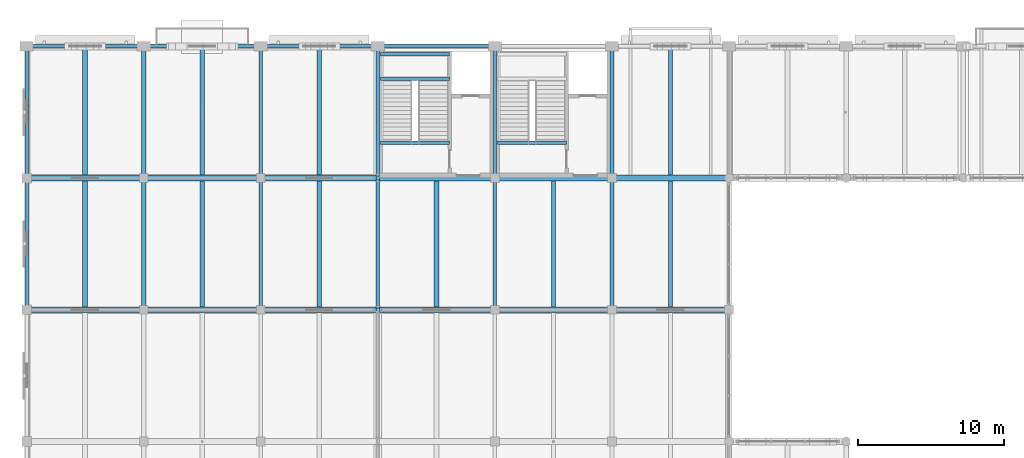
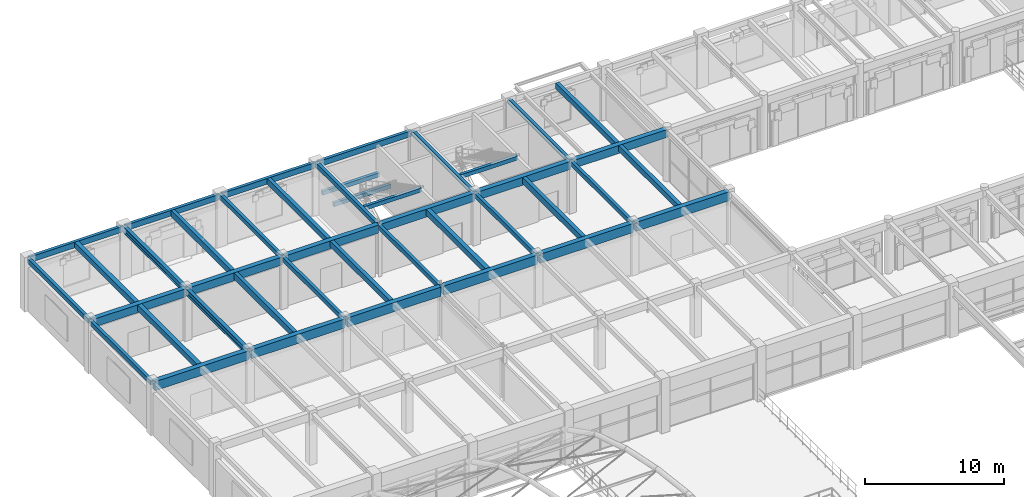
# One storey, part 48 of 144: 42 beams.
"""IFC4 building model written with IfcOpenShell, lengths in metres."""

from ifc_helpers import new_model, si_unit, direction, frame, origin, origin_2d, place, context, subcontext, project, spatial, rectangle, i_section, extrude, material, material_profile, profile_set, type_object, element, save


model = new_model("IFC4")

# Units and contexts
model_context = context("Model", 3, precision=1e-05, world=origin(), true_north=direction((0.0, 1.0)))
body_context = subcontext(model_context, "Body", "Model", "MODEL_VIEW")
ifc_project = project(units=[si_unit("LENGTHUNIT", "METRE"), si_unit("AREAUNIT", "SQUARE_METRE"), si_unit("VOLUMEUNIT", "CUBIC_METRE"), si_unit("PLANEANGLEUNIT", "RADIAN"), si_unit("MASSUNIT", "GRAM", prefix="KILO")], contexts=[model_context])

# Site, building, storey
site_placement = place(None, origin())
site = spatial("IfcSite", under=ifc_project, at=site_placement, CompositionType="ELEMENT")
building_placement = place(site_placement, origin())
building = spatial("IfcBuilding", under=site, at=building_placement, Name="Varnabhumi Central Station", CompositionType="ELEMENT")
storey_placement = place(building_placement, frame((0.0, 0.0, 4.800048828125)))
storey = spatial("IfcBuildingStorey", under=building, at=storey_placement, Name="L01", CompositionType="ELEMENT", Elevation=4.800048828125)

# Beams
ifc_material_1 = material(Name="Concrete M35", Category="concrete")
ifc_material_profile_1 = material_profile(ifc_material_1, rectangle(XDim=0.25, YDim=0.35009765625, at=origin_2d()), Name="Concrete M35", Category="concrete")
ifc_profile_set_1 = profile_set([ifc_material_profile_1], Name="Concrete M35")
beam_type_1 = type_object("IfcBeamType", Name="BM-RC-250x350", PredefinedType="LINTEL", material=ifc_profile_set_1)
for number, where, z_axis, x_axis, name in (
    (1, (24.179931640625, 113.794921875, 2.044921875), (1.0, 0.0, 0.0), (0.0, 1.0, 0.0), "ST-N1 L01 Half Landing Support Beam 1"),
    (2, (24.179931640625, 115.4599609375, 2.044921875), (1.0, 0.0, 0.0), (0.0, 1.0, 0.0), "ST-N1 L01 Half Landing Support Beam 2"),
    (3, (24.179931640625, 109.419921875, 4.375), (1.0, 0.0, 0.0), (0.0, 1.0, 0.0), "ST-N1 L01 Floor Opening Trimmer Beam"),
    (4, (32.179931640625, 109.419921875, 4.375), (1.0, 0.0, 0.0), (0.0, 1.0, 0.0), "ST-N4 L01 Floor Opening Trimmer Beam"),
):
    element("IfcBeam", number, at=place(storey_placement, frame(where, z_axis=z_axis, x_axis=x_axis)), inside=storey, type_object=beam_type_1, Name=name, PredefinedType="LINTEL", context=body_context, shape_type="SweptSolid", body=[
        extrude(rectangle(XDim=0.25, YDim=0.35009765625, at=origin_2d()), origin(), (0.0, 0.0, 1.0), 4.719970703125),
    ])
ifc_material_profile_2 = material_profile(ifc_material_1, rectangle(XDim=0.25, YDim=0.39990234375, at=origin_2d()), Name="Concrete M35", Category="concrete")
ifc_profile_set_2 = profile_set([ifc_material_profile_2], Name="Concrete M35")
beam_type_2 = type_object("IfcBeamType", Name="BM-RC-250x400", PredefinedType="LINTEL", material=ifc_profile_set_2)
for number, where, z_axis, x_axis, name in (
    (5, (0.0, 98.10009765625, 4.349853515625), (0.0, 1.0, 0.0), (-1.0, 0.0, 0.0), "Beam L01-1:M-N"),
    (6, (16.0, 98.10009765625, 4.349853515625), (0.0, 1.0, 0.0), (-1.0, 0.0, 0.0), "Beam L01-3:M-N"),
    (7, (24.0, 98.10009765625, 4.349853515625), (0.0, 1.0, 0.0), (-1.0, 0.0, 0.0), "Beam L01-4:M-N"),
    (8, (32.0, 98.10009765625, 4.349853515625), (0.0, 1.0, 0.0), (-1.0, 0.0, 0.0), "Beam L01-5:M-N"),
    (9, (40.0, 98.10009765625, 4.349853515625), (0.0, 1.0, 0.0), (-1.0, 0.0, 0.0), "Beam L01-6:M-N"),
    (10, (0.0, 107.10009765625, 4.349853515625), (0.0, 1.0, 0.0), (-1.0, 0.0, 0.0), "Beam L01-1:N-P"),
    (11, (16.0, 107.10009765625, 4.349853515625), (0.0, 1.0, 0.0), (-1.0, 0.0, 0.0), "Beam L01-3:N-P"),
    (12, (24.0, 107.10009765625, 4.349853515625), (0.0, 1.0, 0.0), (-1.0, 0.0, 0.0), "Beam L01-4:N-P"),
    (13, (32.0, 107.10009765625, 4.349853515625), (0.0, 1.0, 0.0), (-1.0, 0.0, 0.0), "Beam L01-5:N-P"),
    (14, (40.0, 107.10009765625, 4.349853515625), (0.0, 1.0, 0.0), (-1.0, 0.0, 0.0), "Beam L01-6:N-P"),
):
    element("IfcBeam", number, at=place(storey_placement, frame(where, z_axis=z_axis, x_axis=x_axis)), inside=storey, type_object=beam_type_2, Name=name, PredefinedType="LINTEL", context=body_context, shape_type="SweptSolid", body=[
        extrude(rectangle(XDim=0.25, YDim=0.39990234375, at=origin_2d()), origin(), (0.0, 0.0, 1.0), 8.7998046875),
    ])
ifc_material_2 = material(Name="Concrete M40", Category="concrete")
ifc_material_profile_3 = material_profile(ifc_material_2, rectangle(XDim=0.25, YDim=0.5, at=origin_2d()), Name="Concrete M40", Category="concrete")
ifc_profile_set_3 = profile_set([ifc_material_profile_3], Name="Concrete M40")
beam_type_3 = type_object("IfcBeamType", Name="BM-RC-250x500", PredefinedType="SPANDREL", material=ifc_profile_set_3)
for number, where, z_axis, x_axis, name in (
    (15, (0.10009765625, 116.0, 4.300048828125), (1.0, 0.0, 0.0), (0.0, 1.0, 0.0), "Beam L01-P:1-2"),
    (16, (8.10009765625, 116.0, 4.300048828125), (1.0, 0.0, 0.0), (0.0, 1.0, 0.0), "Beam L01-P:2-3"),
    (17, (16.10009765625, 116.0, 4.300048828125), (1.0, 0.0, 0.0), (0.0, 1.0, 0.0), "Beam L01-P:3-4"),
    (18, (24.10009765625, 116.0, 4.300048828125), (1.0, 0.0, 0.0), (0.0, 1.0, 0.0), "Beam L01-P:4-5"),
):
    element("IfcBeam", number, at=place(storey_placement, frame(where, z_axis=z_axis, x_axis=x_axis)), inside=storey, type_object=beam_type_3, Name=name, PredefinedType="SPANDREL", context=body_context, shape_type="SweptSolid", body=[
        extrude(rectangle(XDim=0.25, YDim=0.5, at=origin_2d()), origin(), (0.0, 0.0, 1.0), 7.7998046875),
    ])
ifc_material_profile_4 = material_profile(ifc_material_2, rectangle(XDim=0.300048828125, YDim=0.5, at=origin_2d()), Name="Concrete M40", Category="concrete")
ifc_profile_set_4 = profile_set([ifc_material_profile_4], Name="Concrete M40")
beam_type_4 = type_object("IfcBeamType", Name="BM-RC-300x500", PredefinedType="JOIST", material=ifc_profile_set_4)
for number, where, z_axis, x_axis, name in (
    (19, (20.0, 98.199951171875, 4.300048828125), (0.0, 1.0, 0.0), (-1.0, 0.0, 0.0), "Secondary Joist L01-3/4:M-N"),
    (20, (44.0, 98.199951171875, 4.300048828125), (0.0, 1.0, 0.0), (-1.0, 0.0, 0.0), "Secondary Joist L01-6/7:M-N"),
):
    element("IfcBeam", number, at=place(storey_placement, frame(where, z_axis=z_axis, x_axis=x_axis)), inside=storey, type_object=beam_type_4, Name=name, PredefinedType="JOIST", context=body_context, shape_type="SweptSolid", body=[
        extrude(rectangle(XDim=0.300048828125, YDim=0.5, at=origin_2d()), origin(), (0.0, 0.0, 1.0), 8.60009765625),
    ])
for number, where, z_axis, x_axis, name in (
    (21, (20.0, 107.199951171875, 4.300048828125), (0.0, 1.0, 0.0), (-1.0, 0.0, 0.0), "Secondary Joist L01-3/4:N-P"),
    (22, (44.0, 107.199951171875, 4.300048828125), (0.0, 1.0, 0.0), (-1.0, 0.0, 0.0), "Secondary Joist L01-6/7:N-P"),
):
    element("IfcBeam", number, at=place(storey_placement, frame(where, z_axis=z_axis, x_axis=x_axis)), inside=storey, type_object=beam_type_4, Name=name, PredefinedType="JOIST", context=body_context, shape_type="SweptSolid", body=[
        extrude(rectangle(XDim=0.300048828125, YDim=0.5, at=origin_2d()), origin(), (0.0, 0.0, 1.0), 8.675048828125),
    ])
ifc_material_profile_5 = material_profile(ifc_material_2, rectangle(XDim=0.300048828125, YDim=0.550048828125, at=origin_2d()), Name="Concrete M40", Category="concrete")
ifc_profile_set_5 = profile_set([ifc_material_profile_5], Name="Concrete M40")
beam_type_5 = type_object("IfcBeamType", Name="BM-RC-300x550", PredefinedType="JOIST", material=ifc_profile_set_5)
for number, where, z_axis, x_axis, name in (
    (23, (12.0, 98.199951171875, 4.27490234375), (0.0, 1.0, 0.0), (-1.0, 0.0, 0.0), "Secondary Joist L01-2/3:M-N"),
    (24, (36.0, 98.199951171875, 4.27490234375), (0.0, 1.0, 0.0), (-1.0, 0.0, 0.0), "Secondary Joist L01-5/6:M-N"),
):
    element("IfcBeam", number, at=place(storey_placement, frame(where, z_axis=z_axis, x_axis=x_axis)), inside=storey, type_object=beam_type_5, Name=name, PredefinedType="JOIST", context=body_context, shape_type="SweptSolid", body=[
        extrude(rectangle(XDim=0.300048828125, YDim=0.550048828125, at=origin_2d()), origin(), (0.0, 0.0, 1.0), 8.60009765625),
    ])
beam_1_placement = place(storey_placement, frame((12.0, 107.199951171875, 4.27490234375), z_axis=(0.0, 1.0, 0.0), x_axis=(-1.0, 0.0, 0.0)))
element("IfcBeam", 25, at=beam_1_placement, inside=storey, type_object=beam_type_5, Name="Secondary Joist L01-2/3:N-P", PredefinedType="JOIST", context=body_context, shape_type="SweptSolid", body=[
    extrude(rectangle(XDim=0.300048828125, YDim=0.550048828125, at=origin_2d()), origin(), (0.0, 0.0, 1.0), 8.675048828125),
])
ifc_material_profile_6 = material_profile(ifc_material_2, rectangle(XDim=0.35009765625, YDim=0.5, at=origin_2d()), Name="Concrete M40", Category="concrete")
ifc_profile_set_6 = profile_set([ifc_material_profile_6], Name="Concrete M40")
beam_type_6 = type_object("IfcBeamType", Name="BM-RC-350x500", PredefinedType="JOIST", material=ifc_profile_set_6)
for number, where, z_axis, x_axis, name in (
    (26, (4.0, 98.199951171875, 4.300048828125), (0.0, 1.0, 0.0), (-1.0, 0.0, 0.0), "Secondary Joist L01-1/2:M-N"),
    (27, (28.0, 98.199951171875, 4.300048828125), (0.0, 1.0, 0.0), (-1.0, 0.0, 0.0), "Secondary Joist L01-4/5:M-N"),
):
    element("IfcBeam", number, at=place(storey_placement, frame(where, z_axis=z_axis, x_axis=x_axis)), inside=storey, type_object=beam_type_6, Name=name, PredefinedType="JOIST", context=body_context, shape_type="SweptSolid", body=[
        extrude(rectangle(XDim=0.35009765625, YDim=0.5, at=origin_2d()), origin(), (0.0, 0.0, 1.0), 8.60009765625),
    ])
beam_2_placement = place(storey_placement, frame((4.0, 107.199951171875, 4.300048828125), z_axis=(0.0, 1.0, 0.0), x_axis=(-1.0, 0.0, 0.0)))
element("IfcBeam", 28, at=beam_2_placement, inside=storey, type_object=beam_type_6, Name="Secondary Joist L01-1/2:N-P", PredefinedType="JOIST", context=body_context, shape_type="SweptSolid", body=[
    extrude(rectangle(XDim=0.35009765625, YDim=0.5, at=origin_2d()), origin(), (0.0, 0.0, 1.0), 8.675048828125),
])
ifc_material_profile_7 = material_profile(ifc_material_2, rectangle(XDim=0.39990234375, YDim=0.699951171875, at=origin_2d()), Name="Concrete M40", Category="concrete")
ifc_profile_set_7 = profile_set([ifc_material_profile_7], Name="Concrete M40")
beam_type_7 = type_object("IfcBeamType", Name="BM-RC-400x700", PredefinedType="BEAM", material=ifc_profile_set_7)
for number, where, z_axis, x_axis, name in (
    (29, (0.10009765625, 107.0, 4.199951171875), (1.0, 0.0, 0.0), (0.0, 1.0, 0.0), "Beam L01-N:1-2"),
    (30, (8.10009765625, 107.0, 4.199951171875), (1.0, 0.0, 0.0), (0.0, 1.0, 0.0), "Beam L01-N:2-3"),
    (31, (16.10009765625, 107.0, 4.199951171875), (1.0, 0.0, 0.0), (0.0, 1.0, 0.0), "Beam L01-N:3-4"),
    (32, (24.10009765625, 107.0, 4.199951171875), (1.0, 0.0, 0.0), (0.0, 1.0, 0.0), "Beam L01-N:4-5"),
    (33, (32.10009765625, 107.0, 4.199951171875), (1.0, 0.0, 0.0), (0.0, 1.0, 0.0), "Beam L01-N:5-6"),
    (34, (40.10009765625, 107.0, 4.199951171875), (1.0, 0.0, 0.0), (0.0, 1.0, 0.0), "Beam L01-N:6-7"),
):
    element("IfcBeam", number, at=place(storey_placement, frame(where, z_axis=z_axis, x_axis=x_axis)), inside=storey, type_object=beam_type_7, Name=name, PredefinedType="BEAM", context=body_context, shape_type="SweptSolid", body=[
        extrude(rectangle(XDim=0.39990234375, YDim=0.699951171875, at=origin_2d()), origin(), (0.0, 0.0, 1.0), 7.7998046875),
    ])
ifc_material_profile_8 = material_profile(ifc_material_2, rectangle(XDim=0.39990234375, YDim=0.800048828125, at=origin_2d()), Name="Concrete M40", Category="concrete")
ifc_profile_set_8 = profile_set([ifc_material_profile_8], Name="Concrete M40")
beam_type_8 = type_object("IfcBeamType", Name="BM-RC-400x800", PredefinedType="BEAM", material=ifc_profile_set_8)
for number, where, z_axis, x_axis, name in (
    (35, (0.10009765625, 98.0, 4.14990234375), (1.0, 0.0, 0.0), (0.0, 1.0, 0.0), "Beam L01-M:1-2"),
    (36, (8.10009765625, 98.0, 4.14990234375), (1.0, 0.0, 0.0), (0.0, 1.0, 0.0), "Beam L01-M:2-3"),
    (37, (16.10009765625, 98.0, 4.14990234375), (1.0, 0.0, 0.0), (0.0, 1.0, 0.0), "Beam L01-M:3-4"),
    (38, (24.10009765625, 98.0, 4.14990234375), (1.0, 0.0, 0.0), (0.0, 1.0, 0.0), "Beam L01-M:4-5"),
    (39, (32.10009765625, 98.0, 4.14990234375), (1.0, 0.0, 0.0), (0.0, 1.0, 0.0), "Beam L01-M:5-6"),
    (40, (40.10009765625, 98.0, 4.14990234375), (1.0, 0.0, 0.0), (0.0, 1.0, 0.0), "Beam L01-M:6-7"),
):
    element("IfcBeam", number, at=place(storey_placement, frame(where, z_axis=z_axis, x_axis=x_axis)), inside=storey, type_object=beam_type_8, Name=name, PredefinedType="BEAM", context=body_context, shape_type="SweptSolid", body=[
        extrude(rectangle(XDim=0.39990234375, YDim=0.800048828125, at=origin_2d()), origin(), (0.0, 0.0, 1.0), 7.7998046875),
    ])
ifc_material_3 = material(Name="Structural steel E350", Category="steel")
ifc_material_profile_9 = material_profile(ifc_material_3, i_section(OverallWidth=0.300048828125, OverallDepth=0.550048828125, WebThickness=0.014892578125, FlangeThickness=0.029052734375, FilletRadius=0.027099609375, at=origin_2d()), Name="Structural steel E350", Category="steel")
ifc_profile_set_9 = profile_set([ifc_material_profile_9], Name="Structural steel E350")
beam_type_9 = type_object("IfcBeamType", Name="BM-STL-WPB550", PredefinedType="BEAM", material=ifc_profile_set_9)
for number, where, z_axis, x_axis, name in (
    (41, (8.0, 98.10009765625, 4.27490234375), (0.0, 1.0, 0.0), (-1.0, 0.0, 0.0), "Beam L01-2:M-N"),
    (42, (8.0, 107.10009765625, 4.27490234375), (0.0, 1.0, 0.0), (-1.0, 0.0, 0.0), "Beam L01-2:N-P"),
):
    element("IfcBeam", number, at=place(storey_placement, frame(where, z_axis=z_axis, x_axis=x_axis)), inside=storey, type_object=beam_type_9, Name=name, PredefinedType="BEAM", context=body_context, shape_type="SweptSolid", body=[
        extrude(i_section(OverallWidth=0.300048828125, OverallDepth=0.550048828125, WebThickness=0.014892578125, FlangeThickness=0.029052734375, FilletRadius=0.027099609375, at=origin_2d()), origin(), (0.0, 0.0, 1.0), 8.7998046875),
    ])

save(model, "model.ifc")
